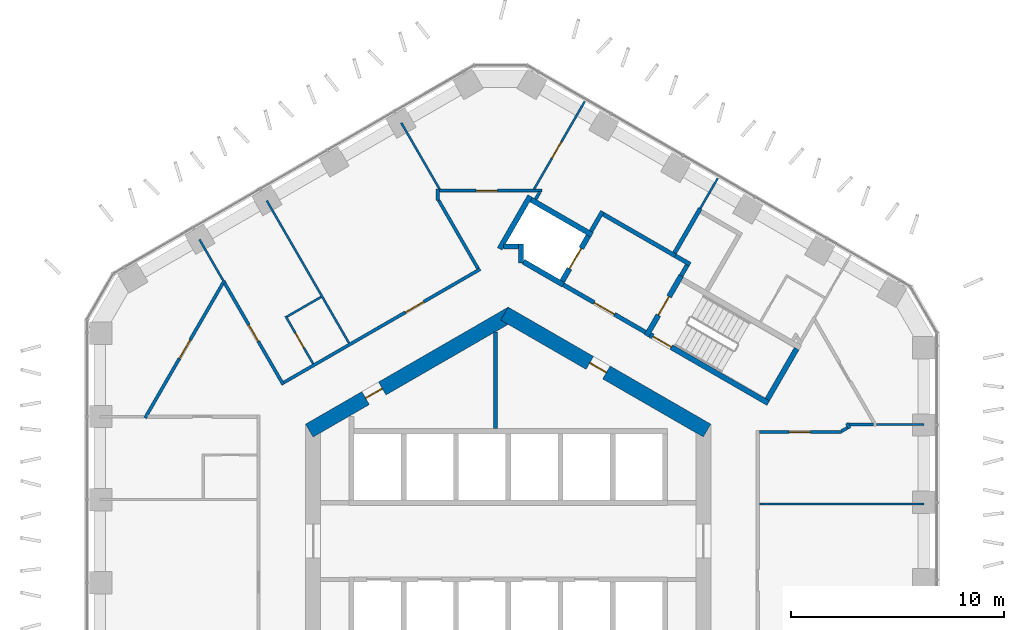
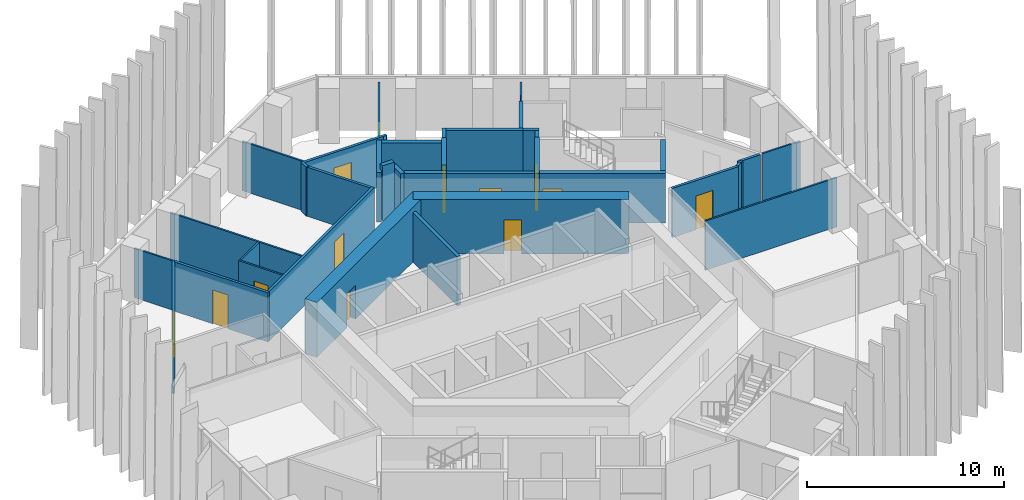
# One storey, part 14 of 19: 38 walls, 13 doors, 13 openings.
"""IFC4 building model written with IfcOpenShell, lengths in metres."""

from ifc_helpers import new_model, si_unit, direction, frame, frame_2d, origin, place, context, subcontext, project, spatial, rectangle, extrude, material, layer, layer_set, type_object, element, fill, save


model = new_model("IFC4")

# Units and contexts
model_context = context("Model", 3, precision=1e-05, world=origin(), true_north=direction((0.0, 1.0)))
body_context = subcontext(model_context, "Body", "Model", "MODEL_VIEW")
ifc_project = project(units=[si_unit("LENGTHUNIT", "METRE"), si_unit("AREAUNIT", "SQUARE_METRE"), si_unit("VOLUMEUNIT", "CUBIC_METRE"), si_unit("PLANEANGLEUNIT", "RADIAN"), si_unit("MASSUNIT", "GRAM", prefix="KILO")], contexts=[model_context])

# Site, building, storey
site_placement = place(None, origin())
site = spatial("IfcSite", under=ifc_project, at=site_placement, CompositionType="ELEMENT")
building_placement = place(site_placement, origin())
building = spatial("IfcBuilding", under=site, at=building_placement, Name="Ayvan Gate Tower", CompositionType="ELEMENT")
storey_placement = place(building_placement, frame((0.0, 0.0, 103.5)))
storey = spatial("IfcBuildingStorey", under=building, at=storey_placement, Name="L27", CompositionType="ELEMENT", Elevation=103.5)

# Wall, opening, door
ifc_material_1 = material(Name="Concrete C70/85", Category="concrete")
ifc_layer_1 = layer(ifc_material_1, 0.699951171875)
ifc_layer_set_1 = layer_set([ifc_layer_1], Name="Concrete C70/85")
wall_type_1 = type_object("IfcWallType", Name="Core wall 700 C70/85", PredefinedType="SHEAR", material=ifc_layer_set_1)
wall_1_placement = place(storey_placement, frame((9.324951171875, 5.181640625, 0.0), z_axis=(0.0, 0.0, 1.0), x_axis=(-0.866023993627, 0.500002442456, 0.0)))
wall_1 = element("IfcWall", 1, at=wall_1_placement, inside=storey, type_object=wall_type_1, Name="CORE-L27-1", PredefinedType="SHEAR", context=body_context, shape_type="SweptSolid", body=[
    extrude(rectangle(XDim=10.9697265625, YDim=0.699951171875, at=frame_2d((5.48486328125, 0.0))), origin(), (0.0, 0.0, 1.0), 3.39990234375),
])
opening_1_placement = place(wall_1_placement, frame((5.451171875, 0.0, 0.0)))
opening_1 = element("IfcOpeningElement", 2, at=opening_1_placement, cuts=wall_1, Name="Opening L27-D40", PredefinedType="OPENING", context=body_context, shape_type="SweptSolid", body=[
    extrude(rectangle(XDim=0.89990234375, YDim=2.10009765625, at=frame_2d((0.449951171875, 1.050048828125))), frame((0.0, 0.35986328125, 0.0), z_axis=(0.0, -1.0, 0.0), x_axis=(1.0, 0.0, 0.0)), (0.0, 0.0, 1.0), 0.719970703125),
])
ifc_material_2 = material(Name="Timber door leaf", Category="wood")
door_type_1 = type_object("IfcDoorType", Name="DT-900", OperationType="NOTDEFINED", PredefinedType="DOOR", material=ifc_material_2)
door_1_placement = place(opening_1_placement, origin())
door_1 = element("IfcDoor", 3, at=door_1_placement, inside=storey, type_object=door_type_1, Name="CD-L27-40", OperationType="SINGLE_SWING_LEFT", OverallHeight=2.10009765625, OverallWidth=0.89990234375, PredefinedType="DOOR", context=body_context, shape_type="SweptSolid", body=[
    extrude(rectangle(XDim=0.89990234375, YDim=2.10009765625, at=frame_2d((0.449951171875, 1.050048828125))), frame((0.0, 0.02490234375, 0.0), z_axis=(0.0, -1.0, 0.0), x_axis=(1.0, 0.0, 0.0)), (0.0, 0.0, 1.0), 0.050048828125),
])
fill(opening_1, door_1)

wall_2_placement = place(storey_placement, frame((0.175048828125, 10.66650390625, 0.0), z_axis=(0.0, 0.0, 1.0), x_axis=(-0.866023993627, -0.500002442456, 0.0)))
wall_2 = element("IfcWall", 4, at=wall_2_placement, inside=storey, type_object=wall_type_1, Name="CORE-L27-2", PredefinedType="SHEAR", context=body_context, shape_type="SweptSolid", body=[
    extrude(rectangle(XDim=10.9697265625, YDim=0.699951171875, at=frame_2d((5.48486328125, 0.0))), origin(), (0.0, 0.0, 1.0), 3.39990234375),
])
opening_2_placement = place(wall_2_placement, frame((7.021484375, 0.0, 0.0)))
opening_2 = element("IfcOpeningElement", 5, at=opening_2_placement, cuts=wall_2, Name="Opening L27-D39", PredefinedType="OPENING", context=body_context, shape_type="SweptSolid", body=[
    extrude(rectangle(XDim=0.89990234375, YDim=2.10009765625, at=frame_2d((0.449951171875, 1.050048828125))), frame((0.0, 0.35986328125, 0.0), z_axis=(0.0, -1.0, 0.0), x_axis=(1.0, 0.0, 0.0)), (0.0, 0.0, 1.0), 0.719970703125),
])
door_2_placement = place(opening_2_placement, origin())
door_2 = element("IfcDoor", 6, at=door_2_placement, inside=storey, type_object=door_type_1, Name="CD-L27-39", OperationType="SINGLE_SWING_RIGHT", OverallHeight=2.10009765625, OverallWidth=0.89990234375, PredefinedType="DOOR", context=body_context, shape_type="SweptSolid", body=[
    extrude(rectangle(XDim=0.89990234375, YDim=2.10009765625, at=frame_2d((0.449951171875, 1.050048828125))), frame((0.0, 0.02490234375, 0.0), z_axis=(0.0, -1.0, 0.0), x_axis=(1.0, 0.0, 0.0)), (0.0, 0.0, 1.0), 0.050048828125),
])
fill(opening_2, door_2)

ifc_material_3 = material(Name="Plasterboard on steel stud", Category="steel")
ifc_layer_2 = layer(ifc_material_3, 0.14990234375)
ifc_layer_set_2 = layer_set([ifc_layer_2], Name="Plasterboard on steel stud")
wall_type_2 = type_object("IfcWallType", Name="WT-CORR-150", PredefinedType="PARTITIONING", material=ifc_layer_set_2)
wall_3_placement = place(storey_placement, frame((-17.02685546875, 5.769287109375, 0.0), z_axis=(0.0, 0.0, 1.0), x_axis=(0.500017007625, 0.866015584205, 0.0)))
wall_3 = element("IfcWall", 7, at=wall_3_placement, inside=storey, type_object=wall_type_2, Name="IW-L27-002", PredefinedType="PARTITIONING", context=body_context, shape_type="SweptSolid", body=[
    extrude(rectangle(XDim=7.461669921875, YDim=0.14990234375, at=frame_2d((3.73095703125, 0.0))), origin(), (0.0, 0.0, 1.0), 3.050048828125),
])
opening_3_placement = place(wall_3_placement, frame((3.23095703125, 0.0, 0.0)))
opening_3 = element("IfcOpeningElement", 8, at=opening_3_placement, cuts=wall_3, Name="Opening L27-D24", PredefinedType="OPENING", context=body_context, shape_type="SweptSolid", body=[
    extrude(rectangle(XDim=1.0, YDim=2.10009765625, at=frame_2d((0.5, 1.050048828125))), frame((0.0, 0.0849609375, 0.0), z_axis=(0.0, -1.0, 0.0), x_axis=(1.0, 0.0, 0.0)), (0.0, 0.0, 1.0), 0.169921875),
])
door_type_2 = type_object("IfcDoorType", Name="DT-1000", OperationType="NOTDEFINED", PredefinedType="DOOR", material=ifc_material_2)
door_3_placement = place(opening_3_placement, origin())
door_3 = element("IfcDoor", 9, at=door_3_placement, inside=storey, type_object=door_type_2, Name="ID-L27-024", OperationType="SINGLE_SWING_LEFT", OverallHeight=2.10009765625, OverallWidth=1.0, PredefinedType="DOOR", context=body_context, shape_type="SweptSolid", body=[
    extrude(rectangle(XDim=1.0, YDim=2.10009765625, at=frame_2d((0.5, 1.050048828125))), frame((0.0, 0.02490234375, 0.0), z_axis=(0.0, -1.0, 0.0), x_axis=(1.0, 0.0, 0.0)), (0.0, 0.0, 1.0), 0.050048828125),
])
fill(opening_3, door_3)

wall_4_placement = place(storey_placement, frame((-13.2958984375, 12.101318359375, 0.0), z_axis=(0.0, 0.0, 1.0), x_axis=(0.499984873778, -0.866034136737, 0.0)))
wall_4 = element("IfcWall", 10, at=wall_4_placement, inside=storey, type_object=wall_type_2, Name="IW-L27-011", PredefinedType="PARTITIONING", context=body_context, shape_type="SweptSolid", body=[
    extrude(rectangle(XDim=5.503173828125, YDim=0.14990234375, at=frame_2d((2.75146484375, 0.0))), origin(), (0.0, 0.0, 1.0), 3.050048828125),
])
opening_4_placement = place(wall_4_placement, frame((2.263916015625, 0.0, 0.0)))
opening_4 = element("IfcOpeningElement", 11, at=opening_4_placement, cuts=wall_4, Name="Opening L27-D37", PredefinedType="OPENING", context=body_context, shape_type="SweptSolid", body=[
    extrude(rectangle(XDim=0.89990234375, YDim=2.10009765625, at=frame_2d((0.449951171875, 1.050048828125))), frame((0.0, 0.0849609375, 0.0), z_axis=(0.0, -1.0, 0.0), x_axis=(1.0, 0.0, 0.0)), (0.0, 0.0, 1.0), 0.169921875),
])
door_4_placement = place(opening_4_placement, origin())
door_4 = element("IfcDoor", 12, at=door_4_placement, inside=storey, type_object=door_type_1, Name="ID-L27-037", OperationType="SINGLE_SWING_RIGHT", OverallHeight=2.10009765625, OverallWidth=0.89990234375, PredefinedType="DOOR", context=body_context, shape_type="SweptSolid", body=[
    extrude(rectangle(XDim=0.89990234375, YDim=2.10009765625, at=frame_2d((0.449951171875, 1.050048828125))), frame((0.0, 0.02490234375, 0.0), z_axis=(0.0, -1.0, 0.0), x_axis=(1.0, 0.0, 0.0)), (0.0, 0.0, 1.0), 0.050048828125),
])
fill(opening_4, door_4)

wall_5_placement = place(storey_placement, frame((-10.51708984375, 7.43798828125, 0.0), z_axis=(0.0, 0.0, 1.0), x_axis=(0.866032192358, 0.499988241661, 0.0)))
wall_5 = element("IfcWall", 13, at=wall_5_placement, inside=storey, type_object=wall_type_2, Name="IW-L27-016", PredefinedType="PARTITIONING", context=body_context, shape_type="SweptSolid", body=[
    extrude(rectangle(XDim=10.628173828125, YDim=0.14990234375, at=frame_2d((5.31396484375, 0.0))), origin(), (0.0, 0.0, 1.0), 3.050048828125),
])
opening_5_placement = place(wall_5_placement, frame((6.575439453125, 0.0, 0.0)))
opening_5 = element("IfcOpeningElement", 14, at=opening_5_placement, cuts=wall_5, Name="Opening L27-D36", PredefinedType="OPENING", context=body_context, shape_type="SweptSolid", body=[
    extrude(rectangle(XDim=1.0, YDim=2.10009765625, at=frame_2d((0.5, 1.050048828125))), frame((0.0, 0.0849609375, 0.0), z_axis=(0.0, -1.0, 0.0), x_axis=(1.0, 0.0, 0.0)), (0.0, 0.0, 1.0), 0.169921875),
])
door_5_placement = place(opening_5_placement, origin())
door_5 = element("IfcDoor", 15, at=door_5_placement, inside=storey, type_object=door_type_2, Name="ID-L27-036", OperationType="SINGLE_SWING_LEFT", OverallHeight=2.10009765625, OverallWidth=1.0, PredefinedType="DOOR", context=body_context, shape_type="SweptSolid", body=[
    extrude(rectangle(XDim=1.0, YDim=2.10009765625, at=frame_2d((0.5, 1.050048828125))), frame((0.0, 0.02490234375, 0.0), z_axis=(0.0, -1.0, 0.0), x_axis=(1.0, 0.0, 0.0)), (0.0, 0.0, 1.0), 0.050048828125),
])
fill(opening_5, door_5)

# Wall
wall_6_placement = place(storey_placement, frame((-3.300048828125, 15.968994140625, 0.0), z_axis=(0.0, 0.0, 1.0), x_axis=(0.0, 1.0, 0.0)))
element("IfcWall", 16, at=wall_6_placement, inside=storey, type_object=wall_type_2, Name="IW-L27-044", PredefinedType="PARTITIONING", context=body_context, shape_type="SweptSolid", body=[
    extrude(rectangle(XDim=0.537353515625, YDim=0.14990234375, at=frame_2d((0.2685546875, 0.0))), origin(), (0.0, 0.0, 1.0), 3.050048828125),
])

# Wall, opening, door
wall_7_placement = place(storey_placement, frame((-3.22509765625, 16.431396484375, 0.0), z_axis=(0.0, 0.0, 1.0), x_axis=(1.0, 0.0, 0.0)))
wall_7 = element("IfcWall", 17, at=wall_7_placement, inside=storey, type_object=wall_type_2, Name="IW-L27-045", PredefinedType="PARTITIONING", context=body_context, shape_type="SweptSolid", body=[
    extrude(rectangle(XDim=4.8193359375, YDim=0.14990234375, at=frame_2d((2.40966796875, 0.0))), origin(), (0.0, 0.0, 1.0), 3.050048828125),
])
opening_6_placement = place(wall_7_placement, frame((1.720458984375, 0.0, 0.0)))
opening_6 = element("IfcOpeningElement", 18, at=opening_6_placement, cuts=wall_7, Name="Opening L27-D22", PredefinedType="OPENING", context=body_context, shape_type="SweptSolid", body=[
    extrude(rectangle(XDim=1.0, YDim=2.10009765625, at=frame_2d((0.5, 1.050048828125))), frame((0.0, 0.0849609375, 0.0), z_axis=(0.0, -1.0, 0.0), x_axis=(1.0, 0.0, 0.0)), (0.0, 0.0, 1.0), 0.169921875),
])
door_6_placement = place(opening_6_placement, origin())
door_6 = element("IfcDoor", 19, at=door_6_placement, inside=storey, type_object=door_type_2, Name="ID-L27-022", OperationType="SINGLE_SWING_LEFT", OverallHeight=2.10009765625, OverallWidth=1.0, PredefinedType="DOOR", context=body_context, shape_type="SweptSolid", body=[
    extrude(rectangle(XDim=1.0, YDim=2.10009765625, at=frame_2d((0.5, 1.050048828125))), frame((0.0, 0.02490234375, 0.0), z_axis=(0.0, -1.0, 0.0), x_axis=(1.0, 0.0, 0.0)), (0.0, 0.0, 1.0), 0.050048828125),
])
fill(opening_6, door_6)

# Walls
wall_8_placement = place(storey_placement, frame((-1.415283203125, 12.779541015625, 0.0), z_axis=(0.0, 0.0, 1.0), x_axis=(-0.499991312689, 0.866030419348, 0.0)))
element("IfcWall", 20, at=wall_8_placement, inside=storey, type_object=wall_type_2, Name="IW-L27-054", PredefinedType="PARTITIONING", context=body_context, shape_type="SweptSolid", body=[
    extrude(rectangle(XDim=3.6943359375, YDim=0.14990234375, at=frame_2d((1.84716796875, 0.0))), origin(), (0.0, 0.0, 1.0), 3.050048828125),
])
wall_9_placement = place(storey_placement, frame((1.481689453125, 16.366455078125, 0.0), z_axis=(0.0, 0.0, 1.0), x_axis=(-0.500047902311, -0.865997745606, 0.0)))
element("IfcWall", 21, at=wall_9_placement, inside=storey, type_object=wall_type_2, Name="IW-L27-066", PredefinedType="PARTITIONING", context=body_context, shape_type="SweptSolid", body=[
    extrude(rectangle(XDim=0.3896484375, YDim=0.14990234375, at=frame_2d((0.19482421875, 0.0))), origin(), (0.0, 0.0, 1.0), 3.050048828125),
])

# Wall, opening, door
wall_10_placement = place(storey_placement, frame((15.6328125, 5.114013671875, 0.0), z_axis=(0.0, 0.0, 1.0), x_axis=(-1.0, 0.0, 0.0)))
wall_10 = element("IfcWall", 22, at=wall_10_placement, inside=storey, type_object=wall_type_2, Name="IW-L27-114", PredefinedType="PARTITIONING", context=body_context, shape_type="SweptSolid", body=[
    extrude(rectangle(XDim=3.85791015625, YDim=0.14990234375, at=frame_2d((1.928955078125, 0.0))), origin(), (0.0, 0.0, 1.0), 3.050048828125),
])
opening_7_placement = place(wall_10_placement, frame((1.46630859375, 0.0, 0.0)))
opening_7 = element("IfcOpeningElement", 23, at=opening_7_placement, cuts=wall_10, Name="Opening L27-D18", PredefinedType="OPENING", context=body_context, shape_type="SweptSolid", body=[
    extrude(rectangle(XDim=1.0, YDim=2.10009765625, at=frame_2d((0.5, 1.050048828125))), frame((0.0, 0.0849609375, 0.0), z_axis=(0.0, -1.0, 0.0), x_axis=(1.0, 0.0, 0.0)), (0.0, 0.0, 1.0), 0.169921875),
])
door_7_placement = place(opening_7_placement, origin())
door_7 = element("IfcDoor", 24, at=door_7_placement, inside=storey, type_object=door_type_2, Name="ID-L27-018", OperationType="SINGLE_SWING_LEFT", OverallHeight=2.10009765625, OverallWidth=1.0, PredefinedType="DOOR", context=body_context, shape_type="SweptSolid", body=[
    extrude(rectangle(XDim=1.0, YDim=2.10009765625, at=frame_2d((0.5, 1.050048828125))), frame((0.0, 0.02490234375, 0.0), z_axis=(0.0, -1.0, 0.0), x_axis=(1.0, 0.0, 0.0)), (0.0, 0.0, 1.0), 0.050048828125),
])
fill(opening_7, door_7)

# Walls
wall_11_placement = place(storey_placement, frame((15.873046875, 5.529052734375, 0.0), z_axis=(0.0, 0.0, 1.0), x_axis=(0.500027802648, -0.866009351323, 0.0)))
element("IfcWall", 25, at=wall_11_placement, inside=storey, type_object=wall_type_2, Name="IW-L27-115", PredefinedType="PARTITIONING", context=body_context, shape_type="SweptSolid", body=[
    extrude(rectangle(XDim=0.27685546875, YDim=0.14990234375, at=frame_2d((0.138427734375, 0.0))), origin(), (0.0, 0.0, 1.0), 3.050048828125),
])
wall_12_placement = place(storey_placement, frame((15.908935546875, 5.31689453125, 0.0), z_axis=(0.0, 0.0, 1.0), x_axis=(-0.865914853484, -0.500191429871, 0.0)))
element("IfcWall", 26, at=wall_12_placement, inside=storey, type_object=wall_type_2, Name="IW-L27-116", PredefinedType="PARTITIONING", context=body_context, shape_type="SweptSolid", body=[
    extrude(rectangle(XDim=0.330322265625, YDim=0.14990234375, at=frame_2d((0.1650390625, 0.0))), origin(), (0.0, 0.0, 1.0), 3.050048828125),
])
wall_13_placement = place(storey_placement, frame((17.128173828125, 5.464111328125, 0.0), z_axis=(0.0, 0.0, 1.0), x_axis=(-1.0, 0.0, 0.0)))
element("IfcWall", 27, at=wall_13_placement, inside=storey, type_object=wall_type_2, Name="IW-L27-119", PredefinedType="PARTITIONING", context=body_context, shape_type="SweptSolid", body=[
    extrude(rectangle(XDim=1.142578125, YDim=0.14990234375, at=frame_2d((0.5712890625, 0.0))), origin(), (0.0, 0.0, 1.0), 3.050048828125),
])
ifc_layer_3 = layer(ifc_material_3, 0.10009765625)
ifc_layer_set_3 = layer_set([ifc_layer_3], Name="Plasterboard on steel stud")
wall_type_3 = type_object("IfcWallType", Name="WT-PART-100", PredefinedType="PARTITIONING", material=ifc_layer_set_3)
wall_14_placement = place(storey_placement, frame((-14.474853515625, 14.14306640625, 0.0), z_axis=(0.0, 0.0, 1.0), x_axis=(0.49998092645, -0.866036415623, 0.0)))
element("IfcWall", 28, at=wall_14_placement, inside=storey, type_object=wall_type_3, Name="IW-L27-004", PredefinedType="PARTITIONING", context=body_context, shape_type="SweptSolid", body=[
    extrude(rectangle(XDim=2.20751953125, YDim=0.10009765625, at=frame_2d((1.103759765625, 0.0))), origin(), (0.0, 0.0, 1.0), 3.050048828125),
])

# Wall, opening, door
wall_15_placement = place(storey_placement, frame((-10.434814453125, 10.54541015625, 0.0), z_axis=(0.0, 0.0, 1.0), x_axis=(0.500034319456, -0.866005588531, 0.0)))
wall_15 = element("IfcWall", 29, at=wall_15_placement, inside=storey, type_object=wall_type_3, Name="IW-L27-017", PredefinedType="PARTITIONING", context=body_context, shape_type="SweptSolid", body=[
    extrude(rectangle(XDim=2.574951171875, YDim=0.10009765625, at=frame_2d((1.28759765625, 0.0))), origin(), (0.0, 0.0, 1.0), 3.050048828125),
])
opening_8_placement = place(wall_15_placement, frame((0.91259765625, 0.0, 0.0)))
opening_8 = element("IfcOpeningElement", 30, at=opening_8_placement, cuts=wall_15, Name="Opening L27-D38", PredefinedType="OPENING", context=body_context, shape_type="SweptSolid", body=[
    extrude(rectangle(XDim=0.800048828125, YDim=2.10009765625, at=frame_2d((0.39990234375, 1.050048828125))), frame((0.0, 0.06005859375, 0.0), z_axis=(0.0, -1.0, 0.0), x_axis=(1.0, 0.0, 0.0)), (0.0, 0.0, 1.0), 0.1201171875),
])
door_type_3 = type_object("IfcDoorType", Name="DT-800", OperationType="NOTDEFINED", PredefinedType="DOOR", material=ifc_material_2)
door_8_placement = place(opening_8_placement, origin())
door_8 = element("IfcDoor", 31, at=door_8_placement, inside=storey, type_object=door_type_3, Name="ID-L27-038", OperationType="SINGLE_SWING_LEFT", OverallHeight=2.10009765625, OverallWidth=0.800048828125, PredefinedType="DOOR", context=body_context, shape_type="SweptSolid", body=[
    extrude(rectangle(XDim=0.800048828125, YDim=2.10009765625, at=frame_2d((0.39990234375, 1.050048828125))), frame((0.0, 0.02490234375, 0.0), z_axis=(0.0, -1.0, 0.0), x_axis=(1.0, 0.0, 0.0)), (0.0, 0.0, 1.0), 0.050048828125),
])
fill(opening_8, door_8)

# Walls
wall_16_placement = place(storey_placement, frame((-8.7705078125, 11.448486328125, 0.0), z_axis=(0.0, 0.0, 1.0), x_axis=(-0.866033360935, -0.499986217557, 0.0)))
element("IfcWall", 32, at=wall_16_placement, inside=storey, type_object=wall_type_3, Name="IW-L27-019", PredefinedType="PARTITIONING", context=body_context, shape_type="SweptSolid", body=[
    extrude(rectangle(XDim=1.8427734375, YDim=0.10009765625, at=frame_2d((0.92138671875, 0.0))), origin(), (0.0, 0.0, 1.0), 3.050048828125),
])
wall_17_placement = place(storey_placement, frame((-11.320068359375, 15.96435546875, 0.0), z_axis=(0.0, 0.0, 1.0), x_axis=(0.499997453958, -0.866026873738, 0.0)))
element("IfcWall", 33, at=wall_17_placement, inside=storey, type_object=wall_type_3, Name="IW-L27-020", PredefinedType="PARTITIONING", context=body_context, shape_type="SweptSolid", body=[
    extrude(rectangle(XDim=7.71044921875, YDim=0.10009765625, at=frame_2d((3.855224609375, 0.0))), origin(), (0.0, 0.0, 1.0), 3.050048828125),
])
wall_18_placement = place(storey_placement, frame((-3.21484375, 16.496337890625, 0.0), z_axis=(0.0, 0.0, 1.0), x_axis=(-0.499998991654, 0.866025985952, 0.0)))
element("IfcWall", 34, at=wall_18_placement, inside=storey, type_object=wall_type_3, Name="IW-L27-046", PredefinedType="PARTITIONING", context=body_context, shape_type="SweptSolid", body=[
    extrude(rectangle(XDim=3.591796875, YDim=0.10009765625, at=frame_2d((1.7958984375, 0.0))), origin(), (0.0, 0.0, 1.0), 3.050048828125),
])

# Wall, opening, door
wall_19_placement = place(storey_placement, frame((3.58984375, 20.617919921875, 0.0), z_axis=(0.0, 0.0, 1.0), x_axis=(-0.500006646563, -0.866021566356, 0.0)))
wall_19 = element("IfcWall", 35, at=wall_19_placement, inside=storey, type_object=wall_type_3, Name="IW-L27-074", PredefinedType="PARTITIONING", context=body_context, shape_type="SweptSolid", body=[
    extrude(rectangle(XDim=4.75927734375, YDim=0.10009765625, at=frame_2d((2.379638671875, 0.0))), origin(), (0.0, 0.0, 1.0), 3.050048828125),
])
opening_9_placement = place(wall_19_placement, frame((2.190185546875, 0.0, 0.0)))
opening_9 = element("IfcOpeningElement", 36, at=opening_9_placement, cuts=wall_19, Name="Opening L27-D23", PredefinedType="OPENING", context=body_context, shape_type="SweptSolid", body=[
    extrude(rectangle(XDim=0.89990234375, YDim=2.10009765625, at=frame_2d((0.449951171875, 1.050048828125))), frame((0.0, 0.06005859375, 0.0), z_axis=(0.0, -1.0, 0.0), x_axis=(1.0, 0.0, 0.0)), (0.0, 0.0, 1.0), 0.1201171875),
])
door_9_placement = place(opening_9_placement, origin())
door_9 = element("IfcDoor", 37, at=door_9_placement, inside=storey, type_object=door_type_1, Name="ID-L27-023", OperationType="SINGLE_SWING_RIGHT", OverallHeight=2.10009765625, OverallWidth=0.89990234375, PredefinedType="DOOR", context=body_context, shape_type="SweptSolid", body=[
    extrude(rectangle(XDim=0.89990234375, YDim=2.10009765625, at=frame_2d((0.449951171875, 1.050048828125))), frame((0.0, 0.02490234375, 0.0), z_axis=(0.0, -1.0, 0.0), x_axis=(1.0, 0.0, 0.0)), (0.0, 0.0, 1.0), 0.050048828125),
])
fill(opening_9, door_9)

# Walls
wall_20_placement = place(storey_placement, frame((9.0, 15.58837890625, 0.0), z_axis=(0.0, 0.0, 1.0), x_axis=(0.499957196903, 0.866050114754, 0.0)))
element("IfcWall", 38, at=wall_20_placement, inside=storey, type_object=wall_type_3, Name="IW-L27-095", PredefinedType="PARTITIONING", context=body_context, shape_type="SweptSolid", body=[
    extrude(rectangle(XDim=1.650634765625, YDim=0.10009765625, at=frame_2d((0.8251953125, 0.0))), origin(), (0.0, 0.0, 1.0), 3.050048828125),
])
wall_21_placement = place(storey_placement, frame((11.77490234375, 1.74853515625, 0.0), z_axis=(0.0, 0.0, 1.0), x_axis=(1.0, 0.0, 0.0)))
element("IfcWall", 39, at=wall_21_placement, inside=storey, type_object=wall_type_3, Name="IW-L27-102", PredefinedType="PARTITIONING", context=body_context, shape_type="SweptSolid", body=[
    extrude(rectangle(XDim=7.710693359375, YDim=0.10009765625, at=frame_2d((3.85546875, 0.0))), origin(), (0.0, 0.0, 1.0), 3.050048828125),
])
wall_22_placement = place(storey_placement, frame((17.27783203125, 5.464111328125, 0.0), z_axis=(0.0, 0.0, 1.0), x_axis=(1.0, 0.0, 0.0)))
element("IfcWall", 40, at=wall_22_placement, inside=storey, type_object=wall_type_3, Name="IW-L27-118", PredefinedType="PARTITIONING", context=body_context, shape_type="SweptSolid", body=[
    extrude(rectangle(XDim=2.207763671875, YDim=0.10009765625, at=frame_2d((1.10400390625, 0.0))), origin(), (0.0, 0.0, 1.0), 3.050048828125),
])
ifc_layer_4 = layer(ifc_material_3, 0.199951171875)
ifc_layer_set_4 = layer_set([ifc_layer_4], Name="Plasterboard on steel stud")
wall_type_4 = type_object("IfcWallType", Name="WT-PLUMB-200", PredefinedType="PLUMBINGWALL", material=ifc_layer_set_4)
wall_23_placement = place(storey_placement, frame((7.83642578125, 13.373291015625, 0.0), z_axis=(0.0, 0.0, 1.0), x_axis=(0.866094119867, -0.499880961361, 0.0)))
element("IfcWall", 41, at=wall_23_placement, inside=storey, type_object=wall_type_4, Name="IW-L27-090", PredefinedType="PLUMBINGWALL", context=body_context, shape_type="SweptSolid", body=[
    extrude(rectangle(XDim=0.800048828125, YDim=0.199951171875, at=frame_2d((0.39990234375, 0.0))), origin(), (0.0, 0.0, 1.0), 3.050048828125),
])
wall_24_placement = place(storey_placement, frame((7.800048828125, 13.510009765625, 0.0), z_axis=(0.0, 0.0, 1.0), x_axis=(0.500001309137, 0.866024647952, 0.0)))
element("IfcWall", 42, at=wall_24_placement, inside=storey, type_object=wall_type_4, Name="IW-L27-091", PredefinedType="PLUMBINGWALL", context=body_context, shape_type="SweptSolid", body=[
    extrude(rectangle(XDim=2.39990234375, YDim=0.199951171875, at=frame_2d((1.199951171875, 0.0))), origin(), (0.0, 0.0, 1.0), 3.050048828125),
])
wall_25_placement = place(storey_placement, frame((8.392822265625, 12.936767578125, 0.0), z_axis=(0.0, 0.0, 1.0), x_axis=(-0.500065409566, -0.86598763626, 0.0)))
element("IfcWall", 43, at=wall_25_placement, inside=storey, type_object=wall_type_4, Name="IW-L27-093", PredefinedType="PLUMBINGWALL", context=body_context, shape_type="SweptSolid", body=[
    extrude(rectangle(XDim=0.5751953125, YDim=0.199951171875, at=frame_2d((0.28759765625, 0.0))), origin(), (0.0, 0.0, 1.0), 3.050048828125),
])
ifc_layer_5 = layer(ifc_material_3, 0.199951171875)
ifc_layer_set_5 = layer_set([ifc_layer_5], Name="Plasterboard on steel stud")
wall_type_5 = type_object("IfcWallType", Name="WT-RATED-200", PredefinedType="PARTITIONING", material=ifc_layer_set_5)
wall_26_placement = place(storey_placement, frame((-0.60009765625, 9.81494140625, 0.0), z_axis=(0.0, 0.0, 1.0), x_axis=(0.0, -1.0, 0.0)))
element("IfcWall", 44, at=wall_26_placement, inside=storey, type_object=wall_type_5, Name="IW-L27-058", PredefinedType="PARTITIONING", context=body_context, shape_type="SweptSolid", body=[
    extrude(rectangle(XDim=4.5400390625, YDim=0.199951171875, at=frame_2d((2.27001953125, 0.0))), origin(), (0.0, 0.0, 1.0), 3.050048828125),
])
wall_27_placement = place(storey_placement, frame((3.885009765625, 14.52880859375, 0.0), z_axis=(0.0, 0.0, 1.0), x_axis=(0.499997628298, 0.866026773083, 0.0)))
element("IfcWall", 45, at=wall_27_placement, inside=storey, type_object=wall_type_5, Name="IW-L27-077", PredefinedType="PARTITIONING", context=body_context, shape_type="SweptSolid", body=[
    extrude(rectangle(XDim=1.0751953125, YDim=0.199951171875, at=frame_2d((0.53759765625, 0.0))), origin(), (0.0, 0.0, 1.0), 3.050048828125),
])
wall_28_placement = place(storey_placement, frame((4.458984375, 15.323486328125, 0.0), z_axis=(0.0, 0.0, 1.0), x_axis=(0.866015672276, -0.500016855088, 0.0)))
element("IfcWall", 46, at=wall_28_placement, inside=storey, type_object=wall_type_5, Name="IW-L27-078", PredefinedType="PARTITIONING", context=body_context, shape_type="SweptSolid", body=[
    extrude(rectangle(XDim=3.900146484375, YDim=0.199951171875, at=frame_2d((1.9501953125, 0.0))), origin(), (0.0, 0.0, 1.0), 3.050048828125),
])

# Wall, opening, door
wall_29_placement = place(storey_placement, frame((6.4345703125, 9.794921875, 0.0), z_axis=(0.0, 0.0, 1.0), x_axis=(-0.866012907634, 0.500021643343, 0.0)))
wall_29 = element("IfcWall", 47, at=wall_29_placement, inside=storey, type_object=wall_type_5, Name="IW-L27-081", PredefinedType="PARTITIONING", context=body_context, shape_type="SweptSolid", body=[
    extrude(rectangle(XDim=4.449951171875, YDim=0.199951171875, at=frame_2d((2.22509765625, 0.0))), origin(), (0.0, 0.0, 1.0), 3.050048828125),
])
opening_10_placement = place(wall_29_placement, frame((1.675048828125, 0.0, 0.0)))
opening_10 = element("IfcOpeningElement", 48, at=opening_10_placement, cuts=wall_29, Name="Opening L27-D08", PredefinedType="OPENING", context=body_context, shape_type="SweptSolid", body=[
    extrude(rectangle(XDim=1.10009765625, YDim=2.10009765625, at=frame_2d((0.550048828125, 1.050048828125))), frame((0.0, 0.10986328125, 0.0), z_axis=(0.0, -1.0, 0.0), x_axis=(1.0, 0.0, 0.0)), (0.0, 0.0, 1.0), 0.219970703125),
])
door_type_4 = type_object("IfcDoorType", Name="DT-1100", OperationType="NOTDEFINED", PredefinedType="DOOR", material=ifc_material_2)
door_10_placement = place(opening_10_placement, origin())
door_10 = element("IfcDoor", 49, at=door_10_placement, inside=storey, type_object=door_type_4, Name="ID-L27-008", OperationType="SINGLE_SWING_LEFT", OverallHeight=2.10009765625, OverallWidth=1.10009765625, PredefinedType="DOOR", context=body_context, shape_type="SweptSolid", body=[
    extrude(rectangle(XDim=1.10009765625, YDim=2.10009765625, at=frame_2d((0.550048828125, 1.050048828125))), frame((0.0, 0.02490234375, 0.0), z_axis=(0.0, -1.0, 0.0), x_axis=(1.0, 0.0, 0.0)), (0.0, 0.0, 1.0), 0.050048828125),
])
fill(opening_10, door_10)

# Walls
ifc_material_4 = material(Name="Concrete C50/60", Category="concrete")
ifc_layer_6 = layer(ifc_material_4, 0.25)
ifc_layer_set_6 = layer_set([ifc_layer_6], Name="Concrete C50/60")
wall_type_6 = type_object("IfcWallType", Name="WT-RC-250", PredefinedType="SHEAR", material=ifc_layer_set_6)
wall_30_placement = place(storey_placement, frame((-0.403076171875, 13.70166015625, 0.0), z_axis=(0.0, 0.0, 1.0), x_axis=(0.499976111731, 0.866039195244, 0.0)))
element("IfcWall", 50, at=wall_30_placement, inside=storey, type_object=wall_type_6, Name="IW-L27-059", PredefinedType="SHEAR", context=body_context, shape_type="SweptSolid", body=[
    extrude(rectangle(XDim=2.860595703125, YDim=0.25, at=frame_2d((1.43017578125, 0.0))), origin(), (0.0, 0.0, 1.0), 3.050048828125),
])
wall_31_placement = place(storey_placement, frame((0.60009765625, 13.03857421875, 0.0), z_axis=(0.0, 0.0, 1.0), x_axis=(0.0, 1.0, 0.0)))
element("IfcWall", 51, at=wall_31_placement, inside=storey, type_object=wall_type_6, Name="IW-L27-062", PredefinedType="SHEAR", context=body_context, shape_type="SweptSolid", body=[
    extrude(rectangle(XDim=0.896484375, YDim=0.25, at=frame_2d((0.4482421875, 0.0))), origin(), (0.0, 0.0, 1.0), 3.050048828125),
])
wall_32_placement = place(storey_placement, frame((0.47509765625, 13.81005859375, 0.0), z_axis=(0.0, 0.0, 1.0), x_axis=(-1.0, 0.0, 0.0)))
element("IfcWall", 52, at=wall_32_placement, inside=storey, type_object=wall_type_6, Name="IW-L27-063", PredefinedType="SHEAR", context=body_context, shape_type="SweptSolid", body=[
    extrude(rectangle(XDim=0.690673828125, YDim=0.25, at=frame_2d((0.34521484375, 0.0))), origin(), (0.0, 0.0, 1.0), 3.39990234375),
])
wall_33_placement = place(storey_placement, frame((1.072998046875, 16.00830078125, 0.0), z_axis=(0.0, 0.0, 1.0), x_axis=(0.866040211805, -0.499974350878, 0.0)))
element("IfcWall", 53, at=wall_33_placement, inside=storey, type_object=wall_type_6, Name="IW-L27-065", PredefinedType="SHEAR", context=body_context, shape_type="SweptSolid", body=[
    extrude(rectangle(XDim=3.300048828125, YDim=0.25, at=frame_2d((1.64990234375, 0.0))), origin(), (0.0, 0.0, 1.0), 3.050048828125),
])
wall_34_placement = place(storey_placement, frame((2.580810546875, 12.02001953125, 0.0), z_axis=(0.0, 0.0, 1.0), x_axis=(-0.86603892542, 0.499976579108, 0.0)))
element("IfcWall", 54, at=wall_34_placement, inside=storey, type_object=wall_type_6, Name="IW-L27-070", PredefinedType="SHEAR", context=body_context, shape_type="SweptSolid", body=[
    extrude(rectangle(XDim=2.162109375, YDim=0.25, at=frame_2d((1.0810546875, 0.0))), origin(), (0.0, 0.0, 1.0), 3.050048828125),
])

# Wall, opening, door
wall_35_placement = place(storey_placement, frame((2.534912109375, 12.19091796875, 0.0), z_axis=(0.0, 0.0, 1.0), x_axis=(0.500061746146, 0.865989751695, 0.0)))
wall_35 = element("IfcWall", 55, at=wall_35_placement, inside=storey, type_object=wall_type_6, Name="IW-L27-071", PredefinedType="SHEAR", context=body_context, shape_type="SweptSolid", body=[
    extrude(rectangle(XDim=2.449951171875, YDim=0.25, at=frame_2d((1.22509765625, 0.0))), origin(), (0.0, 0.0, 1.0), 3.39990234375),
])
opening_11_placement = place(wall_35_placement, frame((0.675048828125, 0.0, 0.0)))
opening_11 = element("IfcOpeningElement", 56, at=opening_11_placement, cuts=wall_35, Name="Opening L27-LD-FF1", PredefinedType="OPENING", context=body_context, shape_type="SweptSolid", body=[
    extrude(rectangle(XDim=1.10009765625, YDim=2.10009765625, at=frame_2d((0.550048828125, 1.050048828125))), frame((0.0, 0.135009765625, 0.0), z_axis=(0.0, -1.0, 0.0), x_axis=(1.0, 0.0, 0.0)), (0.0, 0.0, 1.0), 0.27001953125),
])
ifc_material_5 = material(Name="Stainless steel landing door", Category="steel")
door_type_5 = type_object("IfcDoorType", Name="DT-LANDING-1100", OperationType="SLIDING_TO_LEFT", PredefinedType="DOOR", material=ifc_material_5)
door_11_placement = place(opening_11_placement, origin())
door_11 = element("IfcDoor", 57, at=door_11_placement, inside=storey, type_object=door_type_5, Name="ID-L27-009", OperationType="SLIDING_TO_LEFT", OverallHeight=2.10009765625, OverallWidth=1.10009765625, PredefinedType="DOOR", context=body_context, shape_type="SweptSolid", body=[
    extrude(rectangle(XDim=1.10009765625, YDim=2.10009765625, at=frame_2d((0.550048828125, 1.050048828125))), frame((0.0, 0.02490234375, 0.0), z_axis=(0.0, -1.0, 0.0), x_axis=(1.0, 0.0, 0.0)), (0.0, 0.0, 1.0), 0.050048828125),
])
fill(opening_11, door_11)

wall_36_placement = place(storey_placement, frame((6.480224609375, 9.624267578125, 0.0), z_axis=(0.0, 0.0, 1.0), x_axis=(0.500017246033, 0.866015446554, 0.0)))
wall_36 = element("IfcWall", 58, at=wall_36_placement, inside=storey, type_object=wall_type_6, Name="IW-L27-082", PredefinedType="SHEAR", context=body_context, shape_type="SweptSolid", body=[
    extrude(rectangle(XDim=3.25, YDim=0.25, at=frame_2d((1.625, 0.0))), origin(), (0.0, 0.0, 1.0), 3.050048828125),
])
opening_12_placement = place(wall_36_placement, frame((1.125, 0.0, 0.0)))
opening_12 = element("IfcOpeningElement", 59, at=opening_12_placement, cuts=wall_36, Name="Opening L27-D07", PredefinedType="OPENING", context=body_context, shape_type="SweptSolid", body=[
    extrude(rectangle(XDim=1.0, YDim=2.10009765625, at=frame_2d((0.5, 1.050048828125))), frame((0.0, 0.135009765625, 0.0), z_axis=(0.0, -1.0, 0.0), x_axis=(1.0, 0.0, 0.0)), (0.0, 0.0, 1.0), 0.27001953125),
])
door_12_placement = place(opening_12_placement, origin())
door_12 = element("IfcDoor", 60, at=door_12_placement, inside=storey, type_object=door_type_2, Name="ID-L27-007", OperationType="SINGLE_SWING_RIGHT", OverallHeight=2.10009765625, OverallWidth=1.0, PredefinedType="DOOR", context=body_context, shape_type="SweptSolid", body=[
    extrude(rectangle(XDim=1.0, YDim=2.10009765625, at=frame_2d((0.5, 1.050048828125))), frame((0.0, 0.02490234375, 0.0), z_axis=(0.0, -1.0, 0.0), x_axis=(1.0, 0.0, 0.0)), (0.0, 0.0, 1.0), 0.050048828125),
])
fill(opening_12, door_12)

wall_37_placement = place(storey_placement, frame((12.193603515625, 6.469970703125, 0.0), z_axis=(0.0, 0.0, 1.0), x_axis=(-0.866025499775, 0.499999833739, 0.0)))
wall_37 = element("IfcWall", 61, at=wall_37_placement, inside=storey, type_object=wall_type_6, Name="IW-L27-103", PredefinedType="SHEAR", context=body_context, shape_type="SweptSolid", body=[
    extrude(rectangle(XDim=6.39990234375, YDim=0.25, at=frame_2d((3.199951171875, 0.0))), origin(), (0.0, 0.0, 1.0), 3.050048828125),
])
opening_13_placement = place(wall_37_placement, frame((5.25, 0.0, 0.0)))
opening_13 = element("IfcOpeningElement", 62, at=opening_13_placement, cuts=wall_37, Name="Opening L27-D06", PredefinedType="OPENING", context=body_context, shape_type="SweptSolid", body=[
    extrude(rectangle(XDim=1.0, YDim=2.10009765625, at=frame_2d((0.5, 1.050048828125))), frame((0.0, 0.135009765625, 0.0), z_axis=(0.0, -1.0, 0.0), x_axis=(1.0, 0.0, 0.0)), (0.0, 0.0, 1.0), 0.27001953125),
])
door_13_placement = place(opening_13_placement, origin())
door_13 = element("IfcDoor", 63, at=door_13_placement, inside=storey, type_object=door_type_2, Name="ID-L27-006", OperationType="SINGLE_SWING_LEFT", OverallHeight=2.10009765625, OverallWidth=1.0, PredefinedType="DOOR", context=body_context, shape_type="SweptSolid", body=[
    extrude(rectangle(XDim=1.0, YDim=2.10009765625, at=frame_2d((0.5, 1.050048828125))), frame((0.0, 0.02490234375, 0.0), z_axis=(0.0, -1.0, 0.0), x_axis=(1.0, 0.0, 0.0)), (0.0, 0.0, 1.0), 0.050048828125),
])
fill(opening_13, door_13)

# Wall
wall_38_placement = place(storey_placement, frame((13.52294921875, 9.022216796875, 0.0), z_axis=(0.0, 0.0, 1.0), x_axis=(-0.500034990121, -0.866005201286, 0.0)))
element("IfcWall", 64, at=wall_38_placement, inside=storey, type_object=wall_type_6, Name="IW-L27-109", PredefinedType="SHEAR", context=body_context, shape_type="SweptSolid", body=[
    extrude(rectangle(XDim=2.749755859375, YDim=0.25, at=frame_2d((1.375, 0.0))), origin(), (0.0, 0.0, 1.0), 3.050048828125),
])

save(model, "model.ifc")
